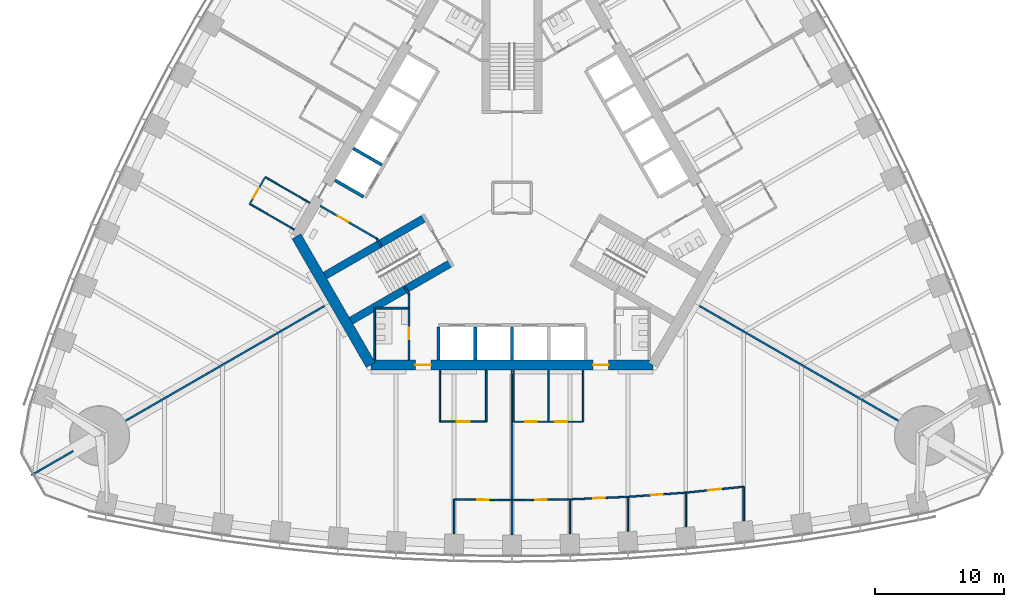
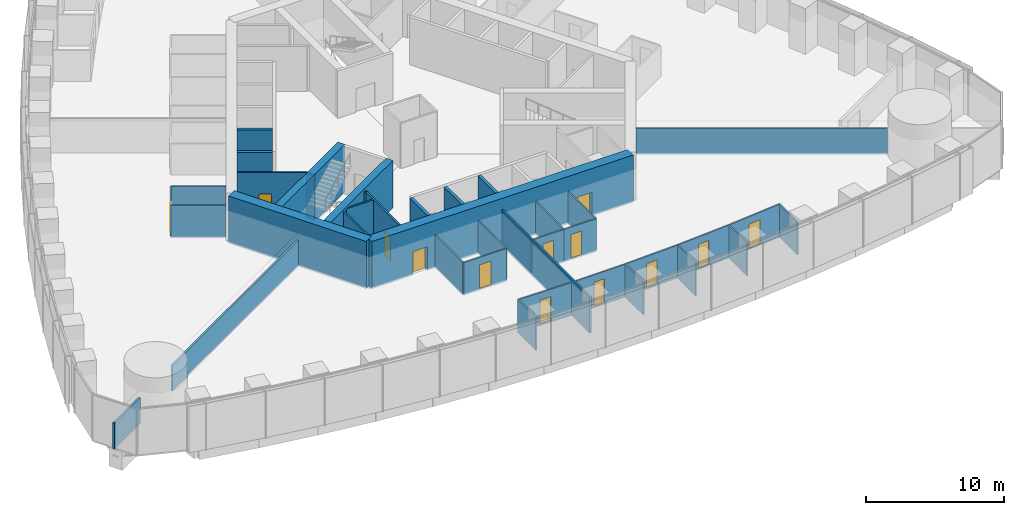
# One storey, part 10 of 18: 40 walls, 13 doors, 13 openings.
"""IFC4 building model written with IfcOpenShell, lengths in metres."""

from ifc_helpers import new_model, si_unit, direction, frame, frame_2d, origin, place, context, subcontext, project, spatial, rectangle, extrude, material, layer, layer_set, type_object, element, fill, save


model = new_model("IFC4")

# Units and contexts
model_context = context("Model", 3, precision=1e-05, world=origin(), true_north=direction((0.0, 1.0)))
body_context = subcontext(model_context, "Body", "Model", "MODEL_VIEW")
ifc_project = project(units=[si_unit("LENGTHUNIT", "METRE"), si_unit("AREAUNIT", "SQUARE_METRE"), si_unit("VOLUMEUNIT", "CUBIC_METRE"), si_unit("PLANEANGLEUNIT", "RADIAN"), si_unit("MASSUNIT", "GRAM", prefix="KILO")], contexts=[model_context])

# Site, building, storey
site_placement = place(None, origin())
site = spatial("IfcSite", under=ifc_project, at=site_placement, CompositionType="ELEMENT")
building_placement = place(site_placement, origin())
building = spatial("IfcBuilding", under=site, at=building_placement, Name="Trefoil Bronze Tower", CompositionType="ELEMENT")
storey_placement = place(building_placement, frame((0.0, 0.0, 37.5)))
storey = spatial("IfcBuildingStorey", under=building, at=storey_placement, Name="L08", CompositionType="ELEMENT", Elevation=37.5)

# Wall, openings, doors
ifc_material_1 = material(Name="Concrete B80", Category="concrete")
ifc_layer_1 = layer(ifc_material_1, 0.800048828125)
ifc_layer_set_1 = layer_set([ifc_layer_1], Name="Core wall 800")
wall_type_1 = type_object("IfcWallType", Name="Core wall 800", PredefinedType="SHEAR", material=ifc_layer_set_1)
wall_1_placement = place(storey_placement, frame((-10.9697265625, -13.0, 0.0), z_axis=(0.0, 0.0, 1.0), x_axis=(1.0, 0.0, 0.0)))
wall_1 = element("IfcWall", 1, at=wall_1_placement, inside=storey, type_object=wall_type_1, Name="Core long wall 1 L08", PredefinedType="SHEAR", context=body_context, shape_type="SweptSolid", body=[
    extrude(rectangle(XDim=21.939453125, YDim=0.800048828125, at=frame_2d((10.9697265625, 0.0))), origin(), (0.0, 0.0, 1.0), 4.199951171875),
])
opening_1_placement = place(wall_1_placement, frame((17.269775390625, 0.0, 0.0)))
opening_1 = element("IfcOpeningElement", 2, at=opening_1_placement, cuts=wall_1, Name="Opening D2", PredefinedType="OPENING", context=body_context, shape_type="SweptSolid", body=[
    extrude(rectangle(XDim=1.199951171875, YDim=2.10009765625, at=frame_2d((0.60009765625, 1.050048828125))), frame((0.0, 0.409912109375, 0.0), z_axis=(0.0, -1.0, 0.0), x_axis=(1.0, 0.0, 0.0)), (0.0, 0.0, 1.0), 0.820068359375),
])
opening_2_placement = place(wall_1_placement, frame((3.4697265625, 0.0, 0.0)))
opening_2 = element("IfcOpeningElement", 3, at=opening_2_placement, cuts=wall_1, Name="Opening D2", PredefinedType="OPENING", context=body_context, shape_type="SweptSolid", body=[
    extrude(rectangle(XDim=1.199951171875, YDim=2.10009765625, at=frame_2d((0.60009765625, 1.050048828125))), frame((0.0, 0.409912109375, 0.0), z_axis=(0.0, -1.0, 0.0), x_axis=(1.0, 0.0, 0.0)), (0.0, 0.0, 1.0), 0.820068359375),
])
ifc_material_2 = material(Name="Steel door", Category="steel")
door_type_1 = type_object("IfcDoorType", Name="Lobby door 1200", OperationType="SINGLE_SWING_RIGHT", PredefinedType="DOOR", material=ifc_material_2)
door_1_placement = place(opening_1_placement, origin())
door_1 = element("IfcDoor", 4, at=door_1_placement, inside=storey, type_object=door_type_1, Name="Lobby door F1+ L08", OperationType="SINGLE_SWING_RIGHT", OverallHeight=2.10009765625, OverallWidth=1.199951171875, PredefinedType="DOOR", context=body_context, shape_type="SweptSolid", body=[
    extrude(rectangle(XDim=1.199951171875, YDim=2.10009765625, at=frame_2d((0.60009765625, 1.050048828125))), frame((0.0, 0.02490234375, 0.0), z_axis=(0.0, -1.0, 0.0), x_axis=(1.0, 0.0, 0.0)), (0.0, 0.0, 1.0), 0.050048828125),
])
fill(opening_1, door_1)
door_2_placement = place(opening_2_placement, origin())
door_2 = element("IfcDoor", 5, at=door_2_placement, inside=storey, type_object=door_type_1, Name="Lobby door F1- L08", OperationType="SINGLE_SWING_LEFT", OverallHeight=2.10009765625, OverallWidth=1.199951171875, PredefinedType="DOOR", context=body_context, shape_type="SweptSolid", body=[
    extrude(rectangle(XDim=1.199951171875, YDim=2.10009765625, at=frame_2d((0.60009765625, 1.050048828125))), frame((0.0, 0.02490234375, 0.0), z_axis=(0.0, -1.0, 0.0), x_axis=(1.0, 0.0, 0.0)), (0.0, 0.0, 1.0), 0.050048828125),
])
fill(opening_2, door_2)

# Wall
wall_2_placement = place(storey_placement, frame((-16.7431640625, -3.0, 0.0), z_axis=(0.0, 0.0, 1.0), x_axis=(0.499995765644, -0.866027848477, 0.0)))
element("IfcWall", 6, at=wall_2_placement, inside=storey, type_object=wall_type_1, Name="Core short wall 3 L08", PredefinedType="SHEAR", context=body_context, shape_type="SweptSolid", body=[
    extrude(rectangle(XDim=11.546875, YDim=0.800048828125, at=frame_2d((5.7734375, 0.0))), origin(), (0.0, 0.0, 1.0), 4.199951171875),
])

# Wall, opening, door
ifc_material_3 = material(Name="Glazed partition", Category="glass")
ifc_layer_2 = layer(ifc_material_3, 0.1201171875)
ifc_layer_set_2 = layer_set([ifc_layer_2], Name="Glazed partition 120")
wall_type_2 = type_object("IfcWallType", Name="Glazed partition 120", PredefinedType="PARTITIONING", material=ifc_layer_set_2)
wall_3_placement = place(storey_placement, frame((0.125, -17.39990234375, 0.0), z_axis=(0.0, 0.0, 1.0), x_axis=(1.0, 0.0, 0.0)))
wall_3 = element("IfcWall", 7, at=wall_3_placement, inside=storey, type_object=wall_type_2, Name="Partition F1 L08", PredefinedType="PARTITIONING", context=body_context, shape_type="SweptSolid", body=[
    extrude(rectangle(XDim=2.699951171875, YDim=0.1201171875, at=frame_2d((1.35009765625, 0.0))), origin(), (0.0, 0.0, 1.0), 2.89990234375),
])
opening_3_placement = place(wall_3_placement, frame((0.89990234375, 0.0, 0.14990234375)))
opening_3 = element("IfcOpeningElement", 8, at=opening_3_placement, cuts=wall_3, Name="Opening D8", PredefinedType="OPENING", context=body_context, shape_type="SweptSolid", body=[
    extrude(rectangle(XDim=0.89990234375, YDim=2.10009765625, at=frame_2d((0.449951171875, 1.050048828125))), frame((0.0, 0.070068359375, 0.0), z_axis=(0.0, -1.0, 0.0), x_axis=(1.0, 0.0, 0.0)), (0.0, 0.0, 1.0), 0.14013671875),
])
ifc_material_4 = material(Name="Timber door", Category="wood")
door_type_2 = type_object("IfcDoorType", Name="Office door 900", OperationType="SINGLE_SWING_LEFT", PredefinedType="DOOR", material=ifc_material_4)
door_3_placement = place(opening_3_placement, origin())
door_3 = element("IfcDoor", 9, at=door_3_placement, inside=storey, type_object=door_type_2, Name="Pantry door F1 L08", OperationType="SINGLE_SWING_LEFT", OverallHeight=2.10009765625, OverallWidth=0.89990234375, PredefinedType="DOOR", context=body_context, shape_type="SweptSolid", body=[
    extrude(rectangle(XDim=0.89990234375, YDim=2.10009765625, at=frame_2d((0.449951171875, 1.050048828125))), frame((0.0, 0.02490234375, 0.0), z_axis=(0.0, -1.0, 0.0), x_axis=(1.0, 0.0, 0.0)), (0.0, 0.0, 1.0), 0.050048828125),
])
fill(opening_3, door_3)

wall_4_placement = place(storey_placement, frame((2.824951171875, -17.39990234375, 0.0), z_axis=(0.0, 0.0, 1.0), x_axis=(1.0, 0.0, 0.0)))
wall_4 = element("IfcWall", 10, at=wall_4_placement, inside=storey, type_object=wall_type_2, Name="Partition F1 L08", PredefinedType="PARTITIONING", context=body_context, shape_type="SweptSolid", body=[
    extrude(rectangle(XDim=2.699951171875, YDim=0.1201171875, at=frame_2d((1.35009765625, 0.0))), origin(), (0.0, 0.0, 1.0), 2.89990234375),
])
opening_4_placement = place(wall_4_placement, frame((0.550048828125, 0.0, 0.14990234375)))
opening_4 = element("IfcOpeningElement", 11, at=opening_4_placement, cuts=wall_4, Name="Opening D8", PredefinedType="OPENING", context=body_context, shape_type="SweptSolid", body=[
    extrude(rectangle(XDim=0.89990234375, YDim=2.10009765625, at=frame_2d((0.449951171875, 1.050048828125))), frame((0.0, 0.070068359375, 0.0), z_axis=(0.0, -1.0, 0.0), x_axis=(1.0, 0.0, 0.0)), (0.0, 0.0, 1.0), 0.14013671875),
])
door_4_placement = place(opening_4_placement, origin())
door_4 = element("IfcDoor", 12, at=door_4_placement, inside=storey, type_object=door_type_2, Name="Pantry door F1 L08", OperationType="SINGLE_SWING_LEFT", OverallHeight=2.10009765625, OverallWidth=0.89990234375, PredefinedType="DOOR", context=body_context, shape_type="SweptSolid", body=[
    extrude(rectangle(XDim=0.89990234375, YDim=2.10009765625, at=frame_2d((0.449951171875, 1.050048828125))), frame((0.0, 0.02490234375, 0.0), z_axis=(0.0, -1.0, 0.0), x_axis=(1.0, 0.0, 0.0)), (0.0, 0.0, 1.0), 0.050048828125),
])
fill(opening_4, door_4)

wall_5_placement = place(storey_placement, frame((-5.60009765625, -17.39990234375, 0.0), z_axis=(0.0, 0.0, 1.0), x_axis=(1.0, 0.0, 0.0)))
wall_5 = element("IfcWall", 13, at=wall_5_placement, inside=storey, type_object=wall_type_2, Name="Partition F1 L08", PredefinedType="PARTITIONING", context=body_context, shape_type="SweptSolid", body=[
    extrude(rectangle(XDim=3.60009765625, YDim=0.1201171875, at=frame_2d((1.800048828125, 0.0))), origin(), (0.0, 0.0, 1.0), 2.89990234375),
])
opening_5_placement = place(wall_5_placement, frame((1.300048828125, 0.0, 0.14990234375)))
opening_5 = element("IfcOpeningElement", 14, at=opening_5_placement, cuts=wall_5, Name="Opening D9", PredefinedType="OPENING", context=body_context, shape_type="SweptSolid", body=[
    extrude(rectangle(XDim=1.0, YDim=2.10009765625, at=frame_2d((0.5, 1.050048828125))), frame((0.0, 0.070068359375, 0.0), z_axis=(0.0, -1.0, 0.0), x_axis=(1.0, 0.0, 0.0)), (0.0, 0.0, 1.0), 0.14013671875),
])
ifc_material_5 = material(Name="Glazed timber door", Category="wood")
door_type_3 = type_object("IfcDoorType", Name="Meeting room door 1000", OperationType="SINGLE_SWING_LEFT", PredefinedType="DOOR", material=ifc_material_5)
door_5_placement = place(opening_5_placement, origin())
door_5 = element("IfcDoor", 15, at=door_5_placement, inside=storey, type_object=door_type_3, Name="Meeting room door F1 L08", OperationType="SINGLE_SWING_RIGHT", OverallHeight=2.10009765625, OverallWidth=1.0, PredefinedType="DOOR", context=body_context, shape_type="SweptSolid", body=[
    extrude(rectangle(XDim=1.0, YDim=2.10009765625, at=frame_2d((0.5, 1.050048828125))), frame((0.0, 0.02490234375, 0.0), z_axis=(0.0, -1.0, 0.0), x_axis=(1.0, 0.0, 0.0)), (0.0, 0.0, 1.0), 0.050048828125),
])
fill(opening_5, door_5)

# Walls
for number, where, z_axis, x_axis, name in (
    (16, (0.125, -13.39990234375, 0.0), (0.0, 0.0, 1.0), (0.0, -1.0, 0.0), "Partition F1 L08"),
    (17, (2.824951171875, -13.39990234375, 0.0), (0.0, 0.0, 1.0), (0.0, -1.0, 0.0), "Partition F1 L08"),
    (18, (5.52490234375, -13.39990234375, 0.0), (0.0, 0.0, 1.0), (0.0, -1.0, 0.0), "Partition F1 L08"),
    (19, (-2.0, -13.39990234375, 0.0), (0.0, 0.0, 1.0), (0.0, -1.0, 0.0), "Partition F1 L08"),
    (20, (-5.60009765625, -13.39990234375, 0.0), (0.0, 0.0, 1.0), (0.0, -1.0, 0.0), "Partition F1 L08"),
):
    element("IfcWall", number, at=place(storey_placement, frame(where, z_axis=z_axis, x_axis=x_axis)), inside=storey, type_object=wall_type_2, Name=name, PredefinedType="PARTITIONING", context=body_context, shape_type="SweptSolid", body=[
        extrude(rectangle(XDim=4.0, YDim=0.1201171875, at=frame_2d((2.0, 0.0))), origin(), (0.0, 0.0, 1.0), 2.89990234375),
    ])

# Wall, opening, door
wall_6_placement = place(storey_placement, frame((0.0, -23.498779296875, 0.0), z_axis=(0.0, 0.0, 1.0), x_axis=(0.999894311967, 0.014538393859, 0.0)))
wall_6 = element("IfcWall", 21, at=wall_6_placement, inside=storey, type_object=wall_type_2, Name="Partition F1 L08", PredefinedType="PARTITIONING", context=body_context, shape_type="SweptSolid", body=[
    extrude(rectangle(XDim=4.50048828125, YDim=0.1201171875, at=frame_2d((2.250244140625, 0.0))), origin(), (0.0, 0.0, 1.0), 2.89990234375),
])
opening_6_placement = place(wall_6_placement, frame((1.800048828125, 0.0, 0.14990234375)))
opening_6 = element("IfcOpeningElement", 22, at=opening_6_placement, cuts=wall_6, Name="Opening D8", PredefinedType="OPENING", context=body_context, shape_type="SweptSolid", body=[
    extrude(rectangle(XDim=0.89990234375, YDim=2.10009765625, at=frame_2d((0.449951171875, 1.050048828125))), frame((0.0, 0.070068359375, 0.0), z_axis=(0.0, -1.0, 0.0), x_axis=(1.0, 0.0, 0.0)), (0.0, 0.0, 1.0), 0.14013671875),
])
door_6_placement = place(opening_6_placement, frame((0.89990234375, 0.0, 0.0), z_axis=(0.0, 0.0, 1.0), x_axis=(-1.0, 0.0, 0.0)))
door_6 = element("IfcDoor", 23, at=door_6_placement, inside=storey, type_object=door_type_2, Name="Office door F1 L08", OperationType="SINGLE_SWING_RIGHT", OverallHeight=2.10009765625, OverallWidth=0.89990234375, PredefinedType="DOOR", context=body_context, shape_type="SweptSolid", body=[
    extrude(rectangle(XDim=0.89990234375, YDim=2.10009765625, at=frame_2d((0.449951171875, 1.050048828125))), frame((0.0, 0.02490234375, 0.0), z_axis=(0.0, -1.0, 0.0), x_axis=(1.0, 0.0, 0.0)), (0.0, 0.0, 1.0), 0.050048828125),
])
fill(opening_6, door_6)

wall_7_placement = place(storey_placement, frame((13.5, -22.909912109375, 0.0), z_axis=(0.0, 0.0, 1.0), x_axis=(0.994833141332, 0.101523499286, 0.0)))
wall_7 = element("IfcWall", 24, at=wall_7_placement, inside=storey, type_object=wall_type_2, Name="Partition F1 L08", PredefinedType="PARTITIONING", context=body_context, shape_type="SweptSolid", body=[
    extrude(rectangle(XDim=4.5234375, YDim=0.1201171875, at=frame_2d((2.26171875, 0.0))), origin(), (0.0, 0.0, 1.0), 2.89990234375),
])
opening_7_placement = place(wall_7_placement, frame((1.75, 0.0, 0.14990234375)))
opening_7 = element("IfcOpeningElement", 25, at=opening_7_placement, cuts=wall_7, Name="Opening D9", PredefinedType="OPENING", context=body_context, shape_type="SweptSolid", body=[
    extrude(rectangle(XDim=1.0, YDim=2.10009765625, at=frame_2d((0.5, 1.050048828125))), frame((0.0, 0.070068359375, 0.0), z_axis=(0.0, -1.0, 0.0), x_axis=(1.0, 0.0, 0.0)), (0.0, 0.0, 1.0), 0.14013671875),
])
door_7_placement = place(opening_7_placement, frame((1.0, 0.0, 0.0), z_axis=(0.0, 0.0, 1.0), x_axis=(-1.0, 0.0, 0.0)))
door_7 = element("IfcDoor", 26, at=door_7_placement, inside=storey, type_object=door_type_3, Name="Meeting room door F1 L08", OperationType="SINGLE_SWING_RIGHT", OverallHeight=2.10009765625, OverallWidth=1.0, PredefinedType="DOOR", context=body_context, shape_type="SweptSolid", body=[
    extrude(rectangle(XDim=1.0, YDim=2.10009765625, at=frame_2d((0.5, 1.050048828125))), frame((0.0, 0.02490234375, 0.0), z_axis=(0.0, -1.0, 0.0), x_axis=(1.0, 0.0, 0.0)), (0.0, 0.0, 1.0), 0.050048828125),
])
fill(opening_7, door_7)

wall_8_placement = place(storey_placement, frame((4.5, -23.433349609375, 0.0), z_axis=(0.0, 0.0, 1.0), x_axis=(0.999052370647, 0.043524254212, 0.0)))
wall_8 = element("IfcWall", 27, at=wall_8_placement, inside=storey, type_object=wall_type_2, Name="Partition F1 L08", PredefinedType="PARTITIONING", context=body_context, shape_type="SweptSolid", body=[
    extrude(rectangle(XDim=4.504150390625, YDim=0.1201171875, at=frame_2d((2.251953125, 0.0))), origin(), (0.0, 0.0, 1.0), 2.89990234375),
])
opening_8_placement = place(wall_8_placement, frame((1.800048828125, 0.0, 0.14990234375)))
opening_8 = element("IfcOpeningElement", 28, at=opening_8_placement, cuts=wall_8, Name="Opening D8", PredefinedType="OPENING", context=body_context, shape_type="SweptSolid", body=[
    extrude(rectangle(XDim=0.89990234375, YDim=2.10009765625, at=frame_2d((0.449951171875, 1.050048828125))), frame((0.0, 0.070068359375, 0.0), z_axis=(0.0, -1.0, 0.0), x_axis=(1.0, 0.0, 0.0)), (0.0, 0.0, 1.0), 0.14013671875),
])
door_8_placement = place(opening_8_placement, frame((0.89990234375, 0.0, 0.0), z_axis=(0.0, 0.0, 1.0), x_axis=(-1.0, 0.0, 0.0)))
door_8 = element("IfcDoor", 29, at=door_8_placement, inside=storey, type_object=door_type_2, Name="Office door F1 L08", OperationType="SINGLE_SWING_RIGHT", OverallHeight=2.10009765625, OverallWidth=0.89990234375, PredefinedType="DOOR", context=body_context, shape_type="SweptSolid", body=[
    extrude(rectangle(XDim=0.89990234375, YDim=2.10009765625, at=frame_2d((0.449951171875, 1.050048828125))), frame((0.0, 0.02490234375, 0.0), z_axis=(0.0, -1.0, 0.0), x_axis=(1.0, 0.0, 0.0)), (0.0, 0.0, 1.0), 0.050048828125),
])
fill(opening_8, door_8)

wall_9_placement = place(storey_placement, frame((9.0, -23.2373046875, 0.0), z_axis=(0.0, 0.0, 1.0), x_axis=(0.997363894896, 0.072562119306, 0.0)))
wall_9 = element("IfcWall", 30, at=wall_9_placement, inside=storey, type_object=wall_type_2, Name="Partition F1 L08", PredefinedType="PARTITIONING", context=body_context, shape_type="SweptSolid", body=[
    extrude(rectangle(XDim=4.511962890625, YDim=0.1201171875, at=frame_2d((2.255859375, 0.0))), origin(), (0.0, 0.0, 1.0), 2.89990234375),
])
opening_9_placement = place(wall_9_placement, frame((1.800048828125, 0.0, 0.14990234375)))
opening_9 = element("IfcOpeningElement", 31, at=opening_9_placement, cuts=wall_9, Name="Opening D8", PredefinedType="OPENING", context=body_context, shape_type="SweptSolid", body=[
    extrude(rectangle(XDim=0.89990234375, YDim=2.10009765625, at=frame_2d((0.449951171875, 1.050048828125))), frame((0.0, 0.070068359375, 0.0), z_axis=(0.0, -1.0, 0.0), x_axis=(1.0, 0.0, 0.0)), (0.0, 0.0, 1.0), 0.14013671875),
])
door_9_placement = place(opening_9_placement, frame((0.89990234375, 0.0, 0.0), z_axis=(0.0, 0.0, 1.0), x_axis=(-1.0, 0.0, 0.0)))
door_9 = element("IfcDoor", 32, at=door_9_placement, inside=storey, type_object=door_type_2, Name="Office door F1 L08", OperationType="SINGLE_SWING_RIGHT", OverallHeight=2.10009765625, OverallWidth=0.89990234375, PredefinedType="DOOR", context=body_context, shape_type="SweptSolid", body=[
    extrude(rectangle(XDim=0.89990234375, YDim=2.10009765625, at=frame_2d((0.449951171875, 1.050048828125))), frame((0.0, 0.02490234375, 0.0), z_axis=(0.0, -1.0, 0.0), x_axis=(1.0, 0.0, 0.0)), (0.0, 0.0, 1.0), 0.050048828125),
])
fill(opening_9, door_9)

wall_10_placement = place(storey_placement, frame((-4.5, -23.433349609375, 0.0), z_axis=(0.0, 0.0, 1.0), x_axis=(0.999894311967, -0.014538393859, 0.0)))
wall_10 = element("IfcWall", 33, at=wall_10_placement, inside=storey, type_object=wall_type_2, Name="Partition F1 L08", PredefinedType="PARTITIONING", context=body_context, shape_type="SweptSolid", body=[
    extrude(rectangle(XDim=4.50048828125, YDim=0.1201171875, at=frame_2d((2.250244140625, 0.0))), origin(), (0.0, 0.0, 1.0), 2.89990234375),
])
opening_10_placement = place(wall_10_placement, frame((1.800048828125, 0.0, 0.14990234375)))
opening_10 = element("IfcOpeningElement", 34, at=opening_10_placement, cuts=wall_10, Name="Opening D8", PredefinedType="OPENING", context=body_context, shape_type="SweptSolid", body=[
    extrude(rectangle(XDim=0.89990234375, YDim=2.10009765625, at=frame_2d((0.449951171875, 1.050048828125))), frame((0.0, 0.070068359375, 0.0), z_axis=(0.0, -1.0, 0.0), x_axis=(1.0, 0.0, 0.0)), (0.0, 0.0, 1.0), 0.14013671875),
])
door_10_placement = place(opening_10_placement, frame((0.89990234375, 0.0, 0.0), z_axis=(0.0, 0.0, 1.0), x_axis=(-1.0, 0.0, 0.0)))
door_10 = element("IfcDoor", 35, at=door_10_placement, inside=storey, type_object=door_type_2, Name="Office door F1 L08", OperationType="SINGLE_SWING_RIGHT", OverallHeight=2.10009765625, OverallWidth=0.89990234375, PredefinedType="DOOR", context=body_context, shape_type="SweptSolid", body=[
    extrude(rectangle(XDim=0.89990234375, YDim=2.10009765625, at=frame_2d((0.449951171875, 1.050048828125))), frame((0.0, 0.02490234375, 0.0), z_axis=(0.0, -1.0, 0.0), x_axis=(1.0, 0.0, 0.0)), (0.0, 0.0, 1.0), 0.050048828125),
])
fill(opening_10, door_10)

# Walls
wall_11_placement = place(storey_placement, frame((13.5, -22.909912109375, 0.0), z_axis=(0.0, 0.0, 1.0), x_axis=(0.0, -1.0, 0.0)))
element("IfcWall", 36, at=wall_11_placement, inside=storey, type_object=wall_type_2, Name="Partition F1 L08", PredefinedType="PARTITIONING", context=body_context, shape_type="SweptSolid", body=[
    extrude(rectangle(XDim=2.6640625, YDim=0.1201171875, at=frame_2d((1.33203125, 0.0))), origin(), (0.0, 0.0, 1.0), 2.89990234375),
])
wall_12_placement = place(storey_placement, frame((18.0, -22.45068359375, 0.0), z_axis=(0.0, 0.0, 1.0), x_axis=(0.0, -1.0, 0.0)))
element("IfcWall", 37, at=wall_12_placement, inside=storey, type_object=wall_type_2, Name="Partition F1 L08", PredefinedType="PARTITIONING", context=body_context, shape_type="SweptSolid", body=[
    extrude(rectangle(XDim=2.6591796875, YDim=0.1201171875, at=frame_2d((1.32958984375, 0.0))), origin(), (0.0, 0.0, 1.0), 2.89990234375),
])
wall_13_placement = place(storey_placement, frame((4.5, -23.433349609375, 0.0), z_axis=(0.0, 0.0, 1.0), x_axis=(0.0, -1.0, 0.0)))
element("IfcWall", 38, at=wall_13_placement, inside=storey, type_object=wall_type_2, Name="Partition F1 L08", PredefinedType="PARTITIONING", context=body_context, shape_type="SweptSolid", body=[
    extrude(rectangle(XDim=2.66943359375, YDim=0.1201171875, at=frame_2d((1.334716796875, 0.0))), origin(), (0.0, 0.0, 1.0), 2.89990234375),
])
wall_14_placement = place(storey_placement, frame((9.0, -23.2373046875, 0.0), z_axis=(0.0, 0.0, 1.0), x_axis=(0.0, -1.0, 0.0)))
element("IfcWall", 39, at=wall_14_placement, inside=storey, type_object=wall_type_2, Name="Partition F1 L08", PredefinedType="PARTITIONING", context=body_context, shape_type="SweptSolid", body=[
    extrude(rectangle(XDim=2.66748046875, YDim=0.1201171875, at=frame_2d((1.333740234375, 0.0))), origin(), (0.0, 0.0, 1.0), 2.89990234375),
])
wall_15_placement = place(storey_placement, frame((-4.5, -23.433349609375, 0.0), z_axis=(0.0, 0.0, 1.0), x_axis=(0.0, -1.0, 0.0)))
element("IfcWall", 40, at=wall_15_placement, inside=storey, type_object=wall_type_2, Name="Partition F1 L08", PredefinedType="PARTITIONING", context=body_context, shape_type="SweptSolid", body=[
    extrude(rectangle(XDim=2.66943359375, YDim=0.1201171875, at=frame_2d((1.334716796875, 0.0))), origin(), (0.0, 0.0, 1.0), 2.89990234375),
])

# Wall, opening, door
wall_16_placement = place(storey_placement, frame((-19.1689453125, 1.5986328125, 0.0), z_axis=(0.0, 0.0, 1.0), x_axis=(-0.499957262057, -0.866050077142, 0.0)))
wall_16 = element("IfcWall", 41, at=wall_16_placement, inside=storey, type_object=wall_type_2, Name="Partition F3 L08", PredefinedType="PARTITIONING", context=body_context, shape_type="SweptSolid", body=[
    extrude(rectangle(XDim=2.400146484375, YDim=0.1201171875, at=frame_2d((1.2001953125, 0.0))), origin(), (0.0, 0.0, 1.0), 2.89990234375),
])
opening_11_placement = place(wall_16_placement, frame((1.0, 0.0, 0.14990234375)))
opening_11 = element("IfcOpeningElement", 42, at=opening_11_placement, cuts=wall_16, Name="Opening D8", PredefinedType="OPENING", context=body_context, shape_type="SweptSolid", body=[
    extrude(rectangle(XDim=0.89990234375, YDim=2.10009765625, at=frame_2d((0.449951171875, 1.050048828125))), frame((0.0, 0.070068359375, 0.0), z_axis=(0.0, -1.0, 0.0), x_axis=(1.0, 0.0, 0.0)), (0.0, 0.0, 1.0), 0.14013671875),
])
door_11_placement = place(opening_11_placement, origin())
door_11 = element("IfcDoor", 43, at=door_11_placement, inside=storey, type_object=door_type_2, Name="Store door F3 L08", OperationType="SINGLE_SWING_RIGHT", OverallHeight=2.10009765625, OverallWidth=0.89990234375, PredefinedType="DOOR", context=body_context, shape_type="SweptSolid", body=[
    extrude(rectangle(XDim=0.89990234375, YDim=2.10009765625, at=frame_2d((0.449951171875, 1.050048828125))), frame((0.0, 0.02490234375, 0.0), z_axis=(0.0, -1.0, 0.0), x_axis=(1.0, 0.0, 0.0)), (0.0, 0.0, 1.0), 0.050048828125),
])
fill(opening_11, door_11)

# Walls
for number, where, z_axis, x_axis, name in (
    (44, (-16.90478515625, -2.47998046875, 0.0), (0.0, 0.0, 1.0), (-0.866026010844, 0.49999894854, 0.0), "Partition F3 L08"),
    (45, (-15.704833984375, -0.4013671875, 0.0), (0.0, 0.0, 1.0), (-0.866026010844, 0.49999894854, 0.0), "Partition F3 L08"),
):
    element("IfcWall", number, at=place(storey_placement, frame(where, z_axis=z_axis, x_axis=x_axis)), inside=storey, type_object=wall_type_2, Name=name, PredefinedType="PARTITIONING", context=body_context, shape_type="SweptSolid", body=[
        extrude(rectangle(XDim=4.0, YDim=0.1201171875, at=frame_2d((2.0, 0.0))), origin(), (0.0, 0.0, 1.0), 2.89990234375),
    ])

# Wall, opening, door
ifc_material_6 = material(Name="Gypsum board on steel studs", Category="steel")
ifc_layer_3 = layer(ifc_material_6, 0.14990234375)
ifc_layer_set_3 = layer_set([ifc_layer_3], Name="Partition 150")
wall_type_3 = type_object("IfcWallType", Name="Partition 150", PredefinedType="PARTITIONING", material=ifc_layer_set_3)
wall_17_placement = place(storey_placement, frame((-8.0, -7.5, 0.0), z_axis=(0.0, 0.0, 1.0), x_axis=(0.0, -1.0, 0.0)))
wall_17 = element("IfcWall", 46, at=wall_17_placement, inside=storey, type_object=wall_type_3, Name="Passage wall F1- L08", PredefinedType="PARTITIONING", context=body_context, shape_type="SweptSolid", body=[
    extrude(rectangle(XDim=5.10009765625, YDim=0.14990234375, at=frame_2d((2.550048828125, 0.0))), origin(), (0.0, 0.0, 1.0), 4.0),
])
opening_12_placement = place(wall_17_placement, frame((2.60009765625, 0.0, 0.0)))
opening_12 = element("IfcOpeningElement", 47, at=opening_12_placement, cuts=wall_17, Name="Opening D3", PredefinedType="OPENING", context=body_context, shape_type="SweptSolid", body=[
    extrude(rectangle(XDim=0.89990234375, YDim=2.10009765625, at=frame_2d((0.449951171875, 1.050048828125))), frame((0.0, 0.0849609375, 0.0), z_axis=(0.0, -1.0, 0.0), x_axis=(1.0, 0.0, 0.0)), (0.0, 0.0, 1.0), 0.169921875),
])
ifc_material_7 = material(Name="Timber door", Category="wood")
door_type_4 = type_object("IfcDoorType", Name="WC door 900", OperationType="SINGLE_SWING_LEFT", PredefinedType="DOOR", material=ifc_material_7)
door_12_placement = place(opening_12_placement, frame((0.89990234375, 0.0, 0.0), z_axis=(0.0, 0.0, 1.0), x_axis=(-1.0, 0.0, 0.0)))
door_12 = element("IfcDoor", 48, at=door_12_placement, inside=storey, type_object=door_type_4, Name="WC (women) door L08", OperationType="SINGLE_SWING_RIGHT", OverallHeight=2.10009765625, OverallWidth=0.89990234375, PredefinedType="DOOR", context=body_context, shape_type="SweptSolid", body=[
    extrude(rectangle(XDim=0.89990234375, YDim=2.10009765625, at=frame_2d((0.449951171875, 1.050048828125))), frame((0.0, 0.02490234375, 0.0), z_axis=(0.0, -1.0, 0.0), x_axis=(1.0, 0.0, 0.0)), (0.0, 0.0, 1.0), 0.050048828125),
])
fill(opening_12, door_12)

wall_18_placement = place(storey_placement, frame((-10.4951171875, -3.17822265625, 0.0), z_axis=(0.0, 0.0, 1.0), x_axis=(-0.86602216432, 0.500005610874, 0.0)))
wall_18 = element("IfcWall", 49, at=wall_18_placement, inside=storey, type_object=wall_type_3, Name="Passage wall F3+ L08", PredefinedType="PARTITIONING", context=body_context, shape_type="SweptSolid", body=[
    extrude(rectangle(XDim=5.10009765625, YDim=0.14990234375, at=frame_2d((2.550048828125, 0.0))), origin(), (0.0, 0.0, 1.0), 4.0),
])
opening_13_placement = place(wall_18_placement, frame((2.60009765625, 0.0, 0.0)))
opening_13 = element("IfcOpeningElement", 50, at=opening_13_placement, cuts=wall_18, Name="Opening D3", PredefinedType="OPENING", context=body_context, shape_type="SweptSolid", body=[
    extrude(rectangle(XDim=0.89990234375, YDim=2.10009765625, at=frame_2d((0.449951171875, 1.050048828125))), frame((0.0, 0.0849609375, 0.0), z_axis=(0.0, -1.0, 0.0), x_axis=(1.0, 0.0, 0.0)), (0.0, 0.0, 1.0), 0.169921875),
])
door_13_placement = place(opening_13_placement, origin())
door_13 = element("IfcDoor", 51, at=door_13_placement, inside=storey, type_object=door_type_4, Name="Accessible WC door L08", OperationType="SINGLE_SWING_RIGHT", OverallHeight=2.10009765625, OverallWidth=0.89990234375, PredefinedType="DOOR", context=body_context, shape_type="SweptSolid", body=[
    extrude(rectangle(XDim=0.89990234375, YDim=2.10009765625, at=frame_2d((0.449951171875, 1.050048828125))), frame((0.0, 0.02490234375, 0.0), z_axis=(0.0, -1.0, 0.0), x_axis=(1.0, 0.0, 0.0)), (0.0, 0.0, 1.0), 0.050048828125),
])
fill(opening_13, door_13)

# Walls
for number, where, z_axis, x_axis, name in (
    (52, (-10.4951171875, -3.17822265625, 0.0), (0.0, 0.0, 1.0), (0.499842556608, -0.866116284689, 0.0), "WC wall ST3-1 L08"),
    (53, (-8.0, -7.5, 0.0), (0.0, 0.0, 1.0), (-0.499842556608, 0.866116284689, 0.0), "WC wall ST3+1 L08"),
):
    element("IfcWall", number, at=place(storey_placement, frame(where, z_axis=z_axis, x_axis=x_axis)), inside=storey, type_object=wall_type_3, Name=name, PredefinedType="PARTITIONING", context=body_context, shape_type="SweptSolid", body=[
        extrude(rectangle(XDim=0.645263671875, YDim=0.14990234375, at=frame_2d((0.32275390625, 0.0))), origin(), (0.0, 0.0, 1.0), 4.0),
    ])
wall_19_placement = place(storey_placement, frame((-10.659912109375, -8.5, 0.0), z_axis=(0.0, 0.0, 1.0), x_axis=(0.0, -1.0, 0.0)))
element("IfcWall", 54, at=wall_19_placement, inside=storey, type_object=wall_type_3, Name="WC partition WC (women) L08", PredefinedType="PARTITIONING", context=body_context, shape_type="SweptSolid", body=[
    extrude(rectangle(XDim=4.10009765625, YDim=0.14990234375, at=frame_2d((2.050048828125, 0.0))), origin(), (0.0, 0.0, 1.0), 4.0),
])
wall_20_placement = place(storey_placement, frame((-8.074951171875, -8.574951171875, 0.0), z_axis=(0.0, 0.0, 1.0), x_axis=(-1.0, 0.0, 0.0)))
element("IfcWall", 55, at=wall_20_placement, inside=storey, type_object=wall_type_3, Name="WC partition WC (women) L08", PredefinedType="PARTITIONING", context=body_context, shape_type="SweptSolid", body=[
    extrude(rectangle(XDim=2.510009765625, YDim=0.14990234375, at=frame_2d((1.2548828125, 0.0))), origin(), (0.0, 0.0, 1.0), 4.0),
])
ifc_material_8 = material(Name="Gypsum board on steel studs", Category="steel")
ifc_layer_4 = layer(ifc_material_8, 0.14990234375)
ifc_layer_set_4 = layer_set([ifc_layer_4], Name="Party wall 150")
wall_type_4 = type_object("IfcWallType", Name="Party wall 150", PredefinedType="PARTITIONING", material=ifc_layer_set_4)
for number, where, z_axis, x_axis, name in (
    (56, (14.202880859375, -8.199951171875, 0.0), (0.0, 0.0, 1.0), (0.866024965723, -0.500000758745, 0.0), "Party wall K1 L08"),
    (57, (-14.202880859375, -8.199951171875, 0.0), (0.0, 0.0, 1.0), (-0.866024965723, -0.500000758745, 0.0), "Party wall K3 L08"),
):
    element("IfcWall", number, at=place(storey_placement, frame(where, z_axis=z_axis, x_axis=x_axis)), inside=storey, type_object=wall_type_4, Name=name, PredefinedType="PARTITIONING", context=body_context, shape_type="SweptSolid", body=[
        extrude(rectangle(XDim=18.25, YDim=0.14990234375, at=frame_2d((9.125, 0.0))), origin(), (0.0, 0.0, 1.0), 2.300048828125),
    ])
wall_21_placement = place(storey_placement, frame((-34.078125, -19.675048828125, 0.0), z_axis=(0.0, 0.0, 1.0), x_axis=(-0.866019247219, -0.500010663332, 0.0)))
element("IfcWall", 58, at=wall_21_placement, inside=storey, type_object=wall_type_4, Name="Party wall K3 L08", PredefinedType="PARTITIONING", context=body_context, shape_type="SweptSolid", body=[
    extrude(rectangle(XDim=3.76416015625, YDim=0.14990234375, at=frame_2d((1.882080078125, 0.0))), origin(), (0.0, 0.0, 1.0), 2.300048828125),
])
wall_22_placement = place(storey_placement, frame((0.0, -13.409912109375, 0.0), z_axis=(0.0, 0.0, 1.0), x_axis=(0.0, -1.0, 0.0)))
element("IfcWall", 59, at=wall_22_placement, inside=storey, type_object=wall_type_4, Name="Demising wall F1 L08", PredefinedType="PARTITIONING", context=body_context, shape_type="SweptSolid", body=[
    extrude(rectangle(XDim=12.7587890625, YDim=0.14990234375, at=frame_2d((6.37939453125, 0.0))), origin(), (0.0, 0.0, 1.0), 3.199951171875),
])
ifc_material_9 = material(Name="Concrete B80", Category="concrete")
ifc_layer_5 = layer(ifc_material_9, 0.25)
ifc_layer_set_5 = layer_set([ifc_layer_5], Name="Shaft wall 250")
wall_type_5 = type_object("IfcWallType", Name="Shaft wall 250", PredefinedType="SHEAR", material=ifc_layer_set_5)
for number, where, z_axis, x_axis, name in (
    (60, (-5.699951171875, -10.02490234375, 0.0), (0.0, 0.0, 1.0), (0.0, -1.0, 0.0), "Lift shaft side wall A0 L08"),
    (61, (-2.85009765625, -10.02490234375, 0.0), (0.0, 0.0, 1.0), (0.0, -1.0, 0.0), "Lift shaft side wall A1 L08"),
    (62, (0.0, -10.02490234375, 0.0), (0.0, 0.0, 1.0), (0.0, -1.0, 0.0), "Lift shaft side wall A2 L08"),
):
    element("IfcWall", number, at=place(storey_placement, frame(where, z_axis=z_axis, x_axis=x_axis)), inside=storey, type_object=wall_type_5, Name=name, PredefinedType="SHEAR", context=body_context, shape_type="SweptSolid", body=[
        extrude(rectangle(XDim=2.5751953125, YDim=0.25, at=frame_2d((1.28759765625, 0.0))), origin(), (0.0, 0.0, 1.0), 4.199951171875),
    ])
for number, where, z_axis, x_axis, name in (
    (63, (-10.10693359375, 2.54443359375, 0.0), (0.0, 0.0, 1.0), (-0.866046643894, 0.499963209246, 0.0), "Lift shaft side wall C3 L08"),
    (64, (-11.531982421875, 0.076171875, 0.0), (0.0, 0.0, 1.0), (-0.866005588531, 0.500034319456, 0.0), "Lift shaft side wall C4 L08"),
):
    element("IfcWall", number, at=place(storey_placement, frame(where, z_axis=z_axis, x_axis=x_axis)), inside=storey, type_object=wall_type_5, Name=name, PredefinedType="SHEAR", context=body_context, shape_type="SweptSolid", body=[
        extrude(rectangle(XDim=2.574951171875, YDim=0.25, at=frame_2d((1.28759765625, 0.0))), origin(), (0.0, 0.0, 1.0), 4.199951171875),
    ])
ifc_material_10 = material(Name="Concrete B80", Category="concrete")
ifc_layer_6 = layer(ifc_material_10, 0.60009765625)
ifc_layer_set_6 = layer_set([ifc_layer_6], Name="Stair wall 600")
wall_type_6 = type_object("IfcWallType", Name="Stair wall 600", PredefinedType="SHEAR", material=ifc_layer_set_6)
for number, where, z_axis, x_axis, name in (
    (65, (-6.663330078125, -1.5087890625, 0.0), (0.0, 0.0, 1.0), (-0.866019375473, -0.500010441196, 0.0), "Stair wall ST3 L08"),
    (66, (-4.638427734375, -5.01611328125, 0.0), (0.0, 0.0, 1.0), (-0.866019375473, -0.500010441196, 0.0), "Stair wall ST3 L08"),
):
    element("IfcWall", number, at=place(storey_placement, frame(where, z_axis=z_axis, x_axis=x_axis)), inside=storey, type_object=wall_type_6, Name=name, PredefinedType="SHEAR", context=body_context, shape_type="SweptSolid", body=[
        extrude(rectangle(XDim=9.074951171875, YDim=0.60009765625, at=frame_2d((4.53759765625, 0.0))), origin(), (0.0, 0.0, 1.0), 4.199951171875),
    ])

save(model, "model.ifc")
